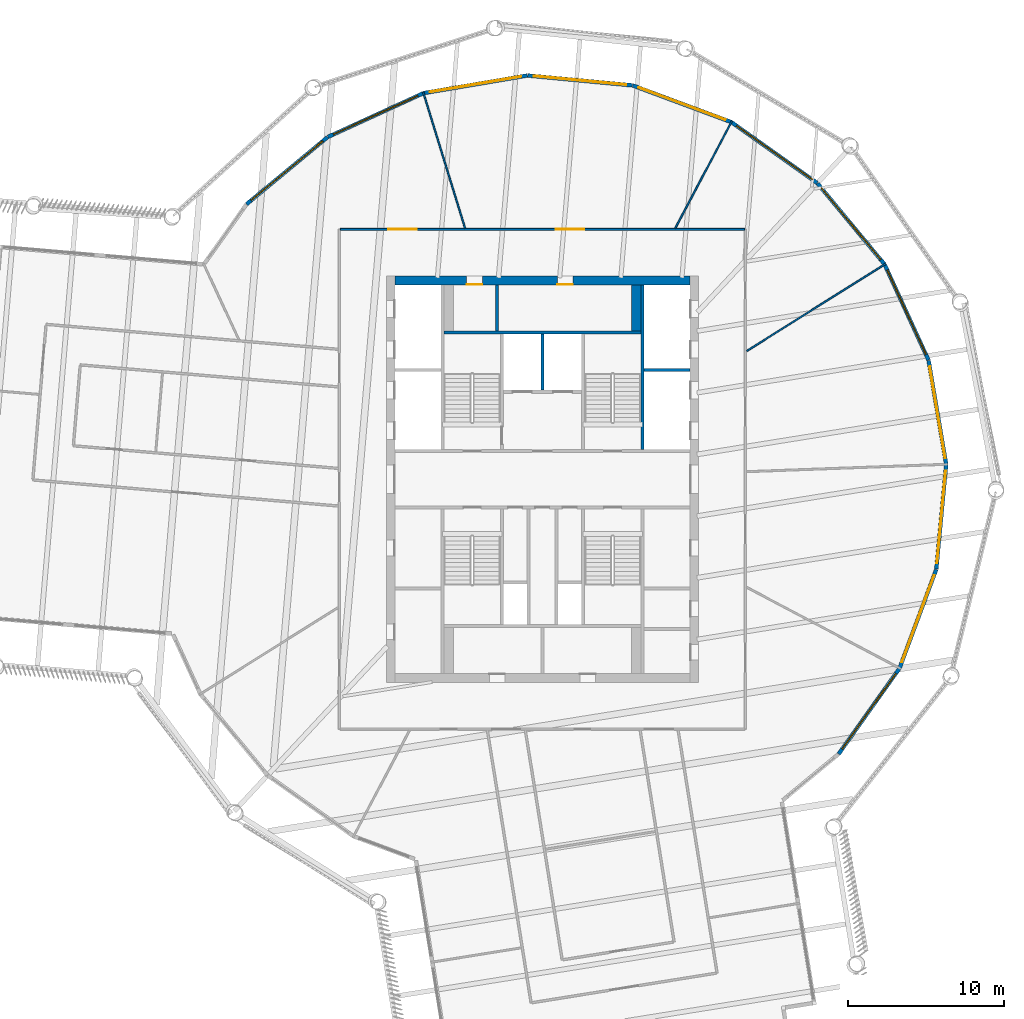
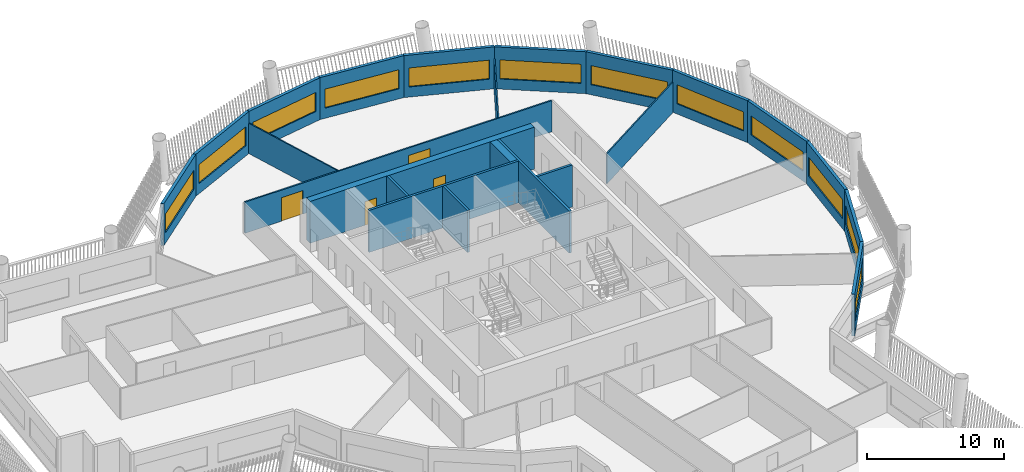
# One storey, part 6 of 14: 23 walls, 12 windows, 4 doors, 16 openings.
"""IFC4 building model written with IfcOpenShell, lengths in metres."""

from ifc_helpers import new_model, si_unit, direction, frame, frame_2d, origin, place, context, subcontext, project, spatial, rectangle, extrude, material, layer, layer_set, type_object, element, fill, save


model = new_model("IFC4")

# Units and contexts
model_context = context("Model", 3, precision=1e-05, world=origin(), true_north=direction((0.0, 1.0)))
body_context = subcontext(model_context, "Body", "Model", "MODEL_VIEW")
ifc_project = project(units=[si_unit("LENGTHUNIT", "METRE"), si_unit("AREAUNIT", "SQUARE_METRE"), si_unit("VOLUMEUNIT", "CUBIC_METRE"), si_unit("PLANEANGLEUNIT", "RADIAN"), si_unit("MASSUNIT", "GRAM", prefix="KILO")], contexts=[model_context])

# Site, building, storey
site_placement = place(None, origin())
site = spatial("IfcSite", under=ifc_project, at=site_placement, CompositionType="ELEMENT")
building_placement = place(site_placement, origin())
building = spatial("IfcBuilding", under=site, at=building_placement, Name="Tarsis Ring Headquarters", CompositionType="ELEMENT")
storey_placement = place(building_placement, frame((0.0, 0.0, 266.89990234375)))
storey = spatial("IfcBuildingStorey", under=building, at=storey_placement, Name="L62", CompositionType="ELEMENT", Elevation=266.89990234375)

# Wall
ifc_material_1 = material(Name="Blockwork", Category="masonry")
ifc_layer_1 = layer(ifc_material_1, 0.199951171875)
ifc_layer_set_1 = layer_set([ifc_layer_1], Name="Core blockwork wall 200")
wall_type_1 = type_object("IfcWallType", Name="Core blockwork wall 200", PredefinedType="PARTITIONING", material=ifc_layer_set_1)
wall_1_placement = place(storey_placement, frame((-2.89990234375, 9.5, 0.0), z_axis=(0.0, 0.0, 1.0), x_axis=(0.0, 1.0, 0.0)))
element("IfcWall", 1, at=wall_1_placement, inside=storey, type_object=wall_type_1, Name="Core partition ND1", PredefinedType="PARTITIONING", context=body_context, shape_type="SweptSolid", body=[
    extrude(rectangle(XDim=2.949951171875, YDim=0.199951171875, at=frame_2d((1.47509765625, 0.0))), origin(), (0.0, 0.0, 1.0), 3.739990234375),
])

# Wall, openings, doors
ifc_material_2 = material(Name="Concrete C50/60", Category="concrete")
ifc_layer_2 = layer(ifc_material_2, 0.550048828125)
ifc_layer_set_2 = layer_set([ifc_layer_2], Name="Core wall 550 C50/60")
wall_type_2 = type_object("IfcWallType", Name="Core wall 550 C50/60", PredefinedType="SHEAR", material=ifc_layer_set_2)
wall_2_placement = place(storey_placement, frame((-9.449951171875, 12.72509765625, 0.0), z_axis=(0.0, 0.0, 1.0), x_axis=(1.0, 0.0, 0.0)))
wall_2 = element("IfcWall", 2, at=wall_2_placement, inside=storey, type_object=wall_type_2, Name="Core wall ON", PredefinedType="SHEAR", context=body_context, shape_type="SweptSolid", body=[
    extrude(rectangle(XDim=18.89990234375, YDim=0.550048828125, at=frame_2d((9.449951171875, 0.0))), origin(), (0.0, 0.0, 1.0), 3.739990234375),
])
opening_1_placement = place(wall_2_placement, frame((4.60009765625, 0.0, 0.0)))
opening_1 = element("IfcOpeningElement", 3, at=opening_1_placement, cuts=wall_2, Name="Opening L62-C16", PredefinedType="OPENING", context=body_context, shape_type="SweptSolid", body=[
    extrude(rectangle(XDim=1.0, YDim=2.10009765625, at=frame_2d((0.5, 1.050048828125))), frame((0.0, 0.284912109375, 0.0), z_axis=(0.0, -1.0, 0.0), x_axis=(1.0, 0.0, 0.0)), (0.0, 0.0, 1.0), 0.570068359375),
])
opening_2_placement = place(wall_2_placement, frame((10.39990234375, 0.0, 0.0)))
opening_2 = element("IfcOpeningElement", 4, at=opening_2_placement, cuts=wall_2, Name="Opening L62-C17", PredefinedType="OPENING", context=body_context, shape_type="SweptSolid", body=[
    extrude(rectangle(XDim=1.0, YDim=2.10009765625, at=frame_2d((0.5, 1.050048828125))), frame((0.0, 0.284912109375, 0.0), z_axis=(0.0, -1.0, 0.0), x_axis=(1.0, 0.0, 0.0)), (0.0, 0.0, 1.0), 0.570068359375),
])
ifc_material_3 = material(Name="Steel S355", Category="steel")
door_type_1 = type_object("IfcDoorType", Name="Core room door 1000x2100", OperationType="SINGLE_SWING_LEFT", PredefinedType="DOOR", material=ifc_material_3)
door_1_placement = place(opening_1_placement, origin())
door_1 = element("IfcDoor", 5, at=door_1_placement, inside=storey, type_object=door_type_1, Name="Core room door L62", OperationType="SINGLE_SWING_LEFT", OverallHeight=2.10009765625, OverallWidth=1.0, PredefinedType="DOOR", context=body_context, shape_type="SweptSolid", body=[
    extrude(rectangle(XDim=1.0, YDim=2.10009765625, at=frame_2d((0.5, 1.050048828125))), frame((0.0, -0.22509765625, 0.0), z_axis=(0.0, -1.0, 0.0), x_axis=(1.0, 0.0, 0.0)), (0.0, 0.0, 1.0), 0.050048828125),
])
fill(opening_1, door_1)
door_2_placement = place(opening_2_placement, origin())
door_2 = element("IfcDoor", 6, at=door_2_placement, inside=storey, type_object=door_type_1, Name="Core room door L62", OperationType="SINGLE_SWING_LEFT", OverallHeight=2.10009765625, OverallWidth=1.0, PredefinedType="DOOR", context=body_context, shape_type="SweptSolid", body=[
    extrude(rectangle(XDim=1.0, YDim=2.10009765625, at=frame_2d((0.5, 1.050048828125))), frame((0.0, -0.22509765625, 0.0), z_axis=(0.0, -1.0, 0.0), x_axis=(1.0, 0.0, 0.0)), (0.0, 0.0, 1.0), 0.050048828125),
])
fill(opening_2, door_2)

# Walls
ifc_material_4 = material(Name="Gypsum board on steel studs", Category="steel")
ifc_layer_3 = layer(ifc_material_4, 0.10009765625)
ifc_layer_set_3 = layer_set([ifc_layer_3], Name="FL partition 100 unrated")
wall_type_3 = type_object("IfcWallType", Name="FL partition 100 unrated", PredefinedType="PARTITIONING", material=ifc_layer_set_3)
wall_3_placement = place(storey_placement, frame((13.076171875, 8.208984375, 0.0), z_axis=(0.0, 0.0, 1.0), x_axis=(0.846935486202, 0.531695666911, 0.0)))
element("IfcWall", 7, at=wall_3_placement, inside=storey, type_object=wall_type_3, Name="Partition PW3", PredefinedType="PARTITIONING", context=body_context, shape_type="SweptSolid", body=[
    extrude(rectangle(XDim=10.508544921875, YDim=0.10009765625, at=frame_2d((5.25439453125, 0.0))), origin(), (0.0, 0.0, 1.0), 2.7001953125),
])
wall_4_placement = place(storey_placement, frame((-7.638427734375, 24.798095703125, 0.0), z_axis=(0.0, 0.0, 1.0), x_axis=(0.2943787751, -0.955688828422, 0.0)))
element("IfcWall", 8, at=wall_4_placement, inside=storey, type_object=wall_type_3, Name="Partition PW3", PredefinedType="PARTITIONING", context=body_context, shape_type="SweptSolid", body=[
    extrude(rectangle(XDim=9.135986328125, YDim=0.10009765625, at=frame_2d((4.56787109375, 0.0))), origin(), (0.0, 0.0, 1.0), 2.7001953125),
])
wall_5_placement = place(storey_placement, frame((8.506591796875, 16.07958984375, 0.0), z_axis=(0.0, 0.0, 1.0), x_axis=(0.467617272652, 0.883931041608, 0.0)))
element("IfcWall", 9, at=wall_5_placement, inside=storey, type_object=wall_type_3, Name="Partition PW3", PredefinedType="PARTITIONING", context=body_context, shape_type="SweptSolid", body=[
    extrude(rectangle(XDim=7.7568359375, YDim=0.10009765625, at=frame_2d((3.87841796875, 0.0))), origin(), (0.0, 0.0, 1.0), 2.7001953125),
])

# Wall, openings, doors
ifc_layer_4 = layer(ifc_material_4, 0.125)
ifc_layer_set_4 = layer_set([ifc_layer_4], Name="FL partition 125 EI 60 H2770")
wall_type_4 = type_object("IfcWallType", Name="FL partition 125 EI 60 H2770", PredefinedType="PARTITIONING", material=ifc_layer_set_4)
wall_6_placement = place(storey_placement, frame((-12.93994140625, 16.0, 0.0), z_axis=(0.0, 0.0, 1.0), x_axis=(1.0, 0.0, 0.0)))
wall_6 = element("IfcWall", 10, at=wall_6_placement, inside=storey, type_object=wall_type_4, Name="Partition PW1", PredefinedType="PARTITIONING", context=body_context, shape_type="SweptSolid", body=[
    extrude(rectangle(XDim=25.8798828125, YDim=0.125, at=frame_2d((12.93994140625, 0.0))), origin(), (0.0, 0.0, 1.0), 2.77001953125),
])
opening_3_placement = place(wall_6_placement, frame((3.07568359375, 0.0, 0.0)))
opening_3 = element("IfcOpeningElement", 11, at=opening_3_placement, cuts=wall_6, Name="Opening D62.03", PredefinedType="OPENING", context=body_context, shape_type="SweptSolid", body=[
    extrude(rectangle(XDim=1.800048828125, YDim=2.10009765625, at=frame_2d((0.89990234375, 1.050048828125))), frame((0.0, 0.072509765625, 0.0), z_axis=(0.0, -1.0, 0.0), x_axis=(1.0, 0.0, 0.0)), (0.0, 0.0, 1.0), 0.14501953125),
])
opening_4_placement = place(wall_6_placement, frame((13.80810546875, 0.0, 0.0)))
opening_4 = element("IfcOpeningElement", 12, at=opening_4_placement, cuts=wall_6, Name="Opening D62.04", PredefinedType="OPENING", context=body_context, shape_type="SweptSolid", body=[
    extrude(rectangle(XDim=1.800048828125, YDim=2.10009765625, at=frame_2d((0.89990234375, 1.050048828125))), frame((0.0, 0.072509765625, 0.0), z_axis=(0.0, -1.0, 0.0), x_axis=(1.0, 0.0, 0.0)), (0.0, 0.0, 1.0), 0.14501953125),
])
ifc_material_5 = material(Name="Fire-rated timber door leaf in steel frame", Category="steel")
door_type_2 = type_object("IfcDoorType", Name="FL door FD60-1800", OperationType="DOUBLE_DOOR_SINGLE_SWING", PredefinedType="DOOR", material=ifc_material_5)
door_3_placement = place(opening_3_placement, origin())
door_3 = element("IfcDoor", 13, at=door_3_placement, inside=storey, type_object=door_type_2, Name="Door D62.03", OperationType="DOUBLE_DOOR_SINGLE_SWING", OverallHeight=2.10009765625, OverallWidth=1.800048828125, PredefinedType="DOOR", context=body_context, shape_type="SweptSolid", body=[
    extrude(rectangle(XDim=1.800048828125, YDim=2.10009765625, at=frame_2d((0.89990234375, 1.050048828125))), frame((0.0, 0.02490234375, 0.0), z_axis=(0.0, -1.0, 0.0), x_axis=(1.0, 0.0, 0.0)), (0.0, 0.0, 1.0), 0.050048828125),
])
fill(opening_3, door_3)
door_4_placement = place(opening_4_placement, origin())
door_4 = element("IfcDoor", 14, at=door_4_placement, inside=storey, type_object=door_type_2, Name="Door D62.04", OperationType="DOUBLE_DOOR_SINGLE_SWING", OverallHeight=2.10009765625, OverallWidth=1.800048828125, PredefinedType="DOOR", context=body_context, shape_type="SweptSolid", body=[
    extrude(rectangle(XDim=1.800048828125, YDim=2.10009765625, at=frame_2d((0.89990234375, 1.050048828125))), frame((0.0, 0.02490234375, 0.0), z_axis=(0.0, -1.0, 0.0), x_axis=(1.0, 0.0, 0.0)), (0.0, 0.0, 1.0), 0.050048828125),
])
fill(opening_4, door_4)

# Wall, opening, window
ifc_material_6 = material(Name="Terracotta clad insulated panel wall", Category="masonry")
ifc_layer_5 = layer(ifc_material_6, 0.25)
ifc_layer_set_5 = layer_set([ifc_layer_5], Name="Facade wall terracotta panel 250")
wall_type_5 = type_object("IfcWallType", Name="Facade wall terracotta panel 250", PredefinedType="STANDARD", material=ifc_layer_set_5)
wall_7_placement = place(storey_placement, frame((18.969482421875, -17.5927734375, 0.0), z_axis=(0.0, 0.0, 1.0), x_axis=(0.578985429699, 0.81533788836, 0.0)))
wall_7 = element("IfcWall", 15, at=wall_7_placement, inside=storey, type_object=wall_type_5, Name="External wall L62-18", PredefinedType="STANDARD", context=body_context, shape_type="SweptSolid", body=[
    extrude(rectangle(XDim=6.721435546875, YDim=0.25, at=frame_2d((3.36083984375, 0.0))), origin(), (0.0, 0.0, 1.0), 3.739990234375),
])
opening_5_placement = place(wall_7_placement, frame((0.3857421875, 0.0, 0.89990234375)))
opening_5 = element("IfcOpeningElement", 16, at=opening_5_placement, cuts=wall_7, Name="Opening WN07", PredefinedType="OPENING", context=body_context, shape_type="SweptSolid", body=[
    extrude(rectangle(XDim=5.949951171875, YDim=1.699951171875, at=frame_2d((2.97509765625, 0.85009765625))), frame((0.0, 0.135009765625, 0.0), z_axis=(0.0, -1.0, 0.0), x_axis=(1.0, 0.0, 0.0)), (0.0, 0.0, 1.0), 0.27001953125),
])
ifc_material_7 = material(Name="Aluminium framed double glazing", Category="aluminium")
window_type = type_object("IfcWindowType", Name="Facade window 5950 x 1700", PartitioningType="SINGLE_PANEL", PredefinedType="WINDOW", material=ifc_material_7)
window_1_placement = place(opening_5_placement, origin())
window_1 = element("IfcWindow", 17, at=window_1_placement, inside=storey, type_object=window_type, Name="Window L62-18.1", OverallHeight=1.699951171875, OverallWidth=5.949951171875, PartitioningType="SINGLE_PANEL", PredefinedType="WINDOW", context=body_context, shape_type="SweptSolid", body=[
    extrude(rectangle(XDim=5.949951171875, YDim=1.699951171875, at=frame_2d((2.97509765625, 0.85009765625))), frame((0.0, 0.030029296875, 0.0), z_axis=(0.0, -1.0, 0.0), x_axis=(1.0, 0.0, 0.0)), (0.0, 0.0, 1.0), 0.06005859375),
])
fill(opening_5, window_1)

wall_8_placement = place(storey_placement, frame((22.87646484375, -12.083740234375, 0.0), z_axis=(0.0, 0.0, 1.0), x_axis=(0.34825583759, 0.937399526128, 0.0)))
wall_8 = element("IfcWall", 18, at=wall_8_placement, inside=storey, type_object=wall_type_5, Name="External wall L62-19", PredefinedType="STANDARD", context=body_context, shape_type="SweptSolid", body=[
    extrude(rectangle(XDim=6.721435546875, YDim=0.25, at=frame_2d((3.36083984375, 0.0))), origin(), (0.0, 0.0, 1.0), 3.739990234375),
])
opening_6_placement = place(wall_8_placement, frame((0.3857421875, 0.0, 0.89990234375)))
opening_6 = element("IfcOpeningElement", 19, at=opening_6_placement, cuts=wall_8, Name="Opening WN07", PredefinedType="OPENING", context=body_context, shape_type="SweptSolid", body=[
    extrude(rectangle(XDim=5.949951171875, YDim=1.699951171875, at=frame_2d((2.97509765625, 0.85009765625))), frame((0.0, 0.135009765625, 0.0), z_axis=(0.0, -1.0, 0.0), x_axis=(1.0, 0.0, 0.0)), (0.0, 0.0, 1.0), 0.27001953125),
])
window_2_placement = place(opening_6_placement, origin())
window_2 = element("IfcWindow", 20, at=window_2_placement, inside=storey, type_object=window_type, Name="Window L62-19.1", OverallHeight=1.699951171875, OverallWidth=5.949951171875, PartitioningType="SINGLE_PANEL", PredefinedType="WINDOW", context=body_context, shape_type="SweptSolid", body=[
    extrude(rectangle(XDim=5.949951171875, YDim=1.699951171875, at=frame_2d((2.97509765625, 0.85009765625))), frame((0.0, 0.030029296875, 0.0), z_axis=(0.0, -1.0, 0.0), x_axis=(1.0, 0.0, 0.0)), (0.0, 0.0, 1.0), 0.06005859375),
])
fill(opening_6, window_2)

wall_9_placement = place(storey_placement, frame((25.224365234375, -5.751220703125, 0.0), z_axis=(0.0, 0.0, 1.0), x_axis=(0.093784020628, 0.995592566, 0.0)))
wall_9 = element("IfcWall", 21, at=wall_9_placement, inside=storey, type_object=wall_type_5, Name="External wall L62-20", PredefinedType="STANDARD", context=body_context, shape_type="SweptSolid", body=[
    extrude(rectangle(XDim=6.721435546875, YDim=0.25, at=frame_2d((3.36083984375, 0.0))), origin(), (0.0, 0.0, 1.0), 3.739990234375),
])
opening_7_placement = place(wall_9_placement, frame((0.3857421875, 0.0, 0.89990234375)))
opening_7 = element("IfcOpeningElement", 22, at=opening_7_placement, cuts=wall_9, Name="Opening WN07", PredefinedType="OPENING", context=body_context, shape_type="SweptSolid", body=[
    extrude(rectangle(XDim=5.949951171875, YDim=1.699951171875, at=frame_2d((2.97509765625, 0.85009765625))), frame((0.0, 0.135009765625, 0.0), z_axis=(0.0, -1.0, 0.0), x_axis=(1.0, 0.0, 0.0)), (0.0, 0.0, 1.0), 0.27001953125),
])
window_3_placement = place(opening_7_placement, origin())
window_3 = element("IfcWindow", 23, at=window_3_placement, inside=storey, type_object=window_type, Name="Window L62-20.1", OverallHeight=1.699951171875, OverallWidth=5.949951171875, PartitioningType="SINGLE_PANEL", PredefinedType="WINDOW", context=body_context, shape_type="SweptSolid", body=[
    extrude(rectangle(XDim=5.949951171875, YDim=1.699951171875, at=frame_2d((2.97509765625, 0.85009765625))), frame((0.0, 0.030029296875, 0.0), z_axis=(0.0, -1.0, 0.0), x_axis=(1.0, 0.0, 0.0)), (0.0, 0.0, 1.0), 0.06005859375),
])
fill(opening_7, window_3)

wall_10_placement = place(storey_placement, frame((25.853515625, 0.973388671875, 0.0), z_axis=(0.0, 0.0, 1.0), x_axis=(-0.167119600515, 0.985936630379, 0.0)))
wall_10 = element("IfcWall", 24, at=wall_10_placement, inside=storey, type_object=wall_type_5, Name="External wall L62-21", PredefinedType="STANDARD", context=body_context, shape_type="SweptSolid", body=[
    extrude(rectangle(XDim=6.721435546875, YDim=0.25, at=frame_2d((3.36083984375, 0.0))), origin(), (0.0, 0.0, 1.0), 3.739990234375),
])
opening_8_placement = place(wall_10_placement, frame((0.3857421875, 0.0, 0.89990234375)))
opening_8 = element("IfcOpeningElement", 25, at=opening_8_placement, cuts=wall_10, Name="Opening WN07", PredefinedType="OPENING", context=body_context, shape_type="SweptSolid", body=[
    extrude(rectangle(XDim=5.949951171875, YDim=1.699951171875, at=frame_2d((2.97509765625, 0.85009765625))), frame((0.0, 0.135009765625, 0.0), z_axis=(0.0, -1.0, 0.0), x_axis=(1.0, 0.0, 0.0)), (0.0, 0.0, 1.0), 0.27001953125),
])
window_4_placement = place(opening_8_placement, origin())
window_4 = element("IfcWindow", 26, at=window_4_placement, inside=storey, type_object=window_type, Name="Window L62-21.1", OverallHeight=1.699951171875, OverallWidth=5.949951171875, PartitioningType="SINGLE_PANEL", PredefinedType="WINDOW", context=body_context, shape_type="SweptSolid", body=[
    extrude(rectangle(XDim=5.949951171875, YDim=1.699951171875, at=frame_2d((2.97509765625, 0.85009765625))), frame((0.0, 0.030029296875, 0.0), z_axis=(0.0, -1.0, 0.0), x_axis=(1.0, 0.0, 0.0)), (0.0, 0.0, 1.0), 0.06005859375),
])
fill(opening_8, window_4)

wall_11_placement = place(storey_placement, frame((24.720703125, 7.631591796875, 0.0), z_axis=(0.0, 0.0, 1.0), x_axis=(-0.416619690448, 0.909080872932, 0.0)))
wall_11 = element("IfcWall", 27, at=wall_11_placement, inside=storey, type_object=wall_type_5, Name="External wall L62-22", PredefinedType="STANDARD", context=body_context, shape_type="SweptSolid", body=[
    extrude(rectangle(XDim=6.721435546875, YDim=0.25, at=frame_2d((3.36083984375, 0.0))), origin(), (0.0, 0.0, 1.0), 3.739990234375),
])
opening_9_placement = place(wall_11_placement, frame((0.3857421875, 0.0, 0.89990234375)))
opening_9 = element("IfcOpeningElement", 28, at=opening_9_placement, cuts=wall_11, Name="Opening WN07", PredefinedType="OPENING", context=body_context, shape_type="SweptSolid", body=[
    extrude(rectangle(XDim=5.949951171875, YDim=1.699951171875, at=frame_2d((2.97509765625, 0.85009765625))), frame((0.0, 0.135009765625, 0.0), z_axis=(0.0, -1.0, 0.0), x_axis=(1.0, 0.0, 0.0)), (0.0, 0.0, 1.0), 0.27001953125),
])
window_5_placement = place(opening_9_placement, origin())
window_5 = element("IfcWindow", 29, at=window_5_placement, inside=storey, type_object=window_type, Name="Window L62-22.1", OverallHeight=1.699951171875, OverallWidth=5.949951171875, PartitioningType="SINGLE_PANEL", PredefinedType="WINDOW", context=body_context, shape_type="SweptSolid", body=[
    extrude(rectangle(XDim=5.949951171875, YDim=1.699951171875, at=frame_2d((2.97509765625, 0.85009765625))), frame((0.0, 0.030029296875, 0.0), z_axis=(0.0, -1.0, 0.0), x_axis=(1.0, 0.0, 0.0)), (0.0, 0.0, 1.0), 0.06005859375),
])
fill(opening_9, window_5)

wall_12_placement = place(storey_placement, frame((21.903076171875, 13.769775390625, 0.0), z_axis=(0.0, 0.0, 1.0), x_axis=(-0.637705225041, 0.770280498231, 0.0)))
wall_12 = element("IfcWall", 30, at=wall_12_placement, inside=storey, type_object=wall_type_5, Name="External wall L62-23", PredefinedType="STANDARD", context=body_context, shape_type="SweptSolid", body=[
    extrude(rectangle(XDim=6.7216796875, YDim=0.25, at=frame_2d((3.36083984375, 0.0))), origin(), (0.0, 0.0, 1.0), 3.739990234375),
])
opening_10_placement = place(wall_12_placement, frame((0.3857421875, 0.0, 0.89990234375)))
opening_10 = element("IfcOpeningElement", 31, at=opening_10_placement, cuts=wall_12, Name="Opening WN07", PredefinedType="OPENING", context=body_context, shape_type="SweptSolid", body=[
    extrude(rectangle(XDim=5.949951171875, YDim=1.699951171875, at=frame_2d((2.97509765625, 0.85009765625))), frame((0.0, 0.135009765625, 0.0), z_axis=(0.0, -1.0, 0.0), x_axis=(1.0, 0.0, 0.0)), (0.0, 0.0, 1.0), 0.27001953125),
])
window_6_placement = place(opening_10_placement, origin())
window_6 = element("IfcWindow", 32, at=window_6_placement, inside=storey, type_object=window_type, Name="Window L62-23.1", OverallHeight=1.699951171875, OverallWidth=5.949951171875, PartitioningType="SINGLE_PANEL", PredefinedType="WINDOW", context=body_context, shape_type="SweptSolid", body=[
    extrude(rectangle(XDim=5.949951171875, YDim=1.699951171875, at=frame_2d((2.97509765625, 0.85009765625))), frame((0.0, 0.030029296875, 0.0), z_axis=(0.0, -1.0, 0.0), x_axis=(1.0, 0.0, 0.0)), (0.0, 0.0, 1.0), 0.06005859375),
])
fill(opening_10, window_6)

wall_13_placement = place(storey_placement, frame((17.5927734375, 18.969482421875, 0.0), z_axis=(0.0, 0.0, 1.0), x_axis=(-0.81533788836, 0.578985429699, 0.0)))
wall_13 = element("IfcWall", 33, at=wall_13_placement, inside=storey, type_object=wall_type_5, Name="External wall L62-24", PredefinedType="STANDARD", context=body_context, shape_type="SweptSolid", body=[
    extrude(rectangle(XDim=6.721435546875, YDim=0.25, at=frame_2d((3.36083984375, 0.0))), origin(), (0.0, 0.0, 1.0), 3.739990234375),
])
opening_11_placement = place(wall_13_placement, frame((0.3857421875, 0.0, 0.89990234375)))
opening_11 = element("IfcOpeningElement", 34, at=opening_11_placement, cuts=wall_13, Name="Opening WN07", PredefinedType="OPENING", context=body_context, shape_type="SweptSolid", body=[
    extrude(rectangle(XDim=5.949951171875, YDim=1.699951171875, at=frame_2d((2.97509765625, 0.85009765625))), frame((0.0, 0.135009765625, 0.0), z_axis=(0.0, -1.0, 0.0), x_axis=(1.0, 0.0, 0.0)), (0.0, 0.0, 1.0), 0.27001953125),
])
window_7_placement = place(opening_11_placement, origin())
window_7 = element("IfcWindow", 35, at=window_7_placement, inside=storey, type_object=window_type, Name="Window L62-24.1", OverallHeight=1.699951171875, OverallWidth=5.949951171875, PartitioningType="SINGLE_PANEL", PredefinedType="WINDOW", context=body_context, shape_type="SweptSolid", body=[
    extrude(rectangle(XDim=5.949951171875, YDim=1.699951171875, at=frame_2d((2.97509765625, 0.85009765625))), frame((0.0, 0.030029296875, 0.0), z_axis=(0.0, -1.0, 0.0), x_axis=(1.0, 0.0, 0.0)), (0.0, 0.0, 1.0), 0.06005859375),
])
fill(opening_11, window_7)

wall_14_placement = place(storey_placement, frame((12.083740234375, 22.87646484375, 0.0), z_axis=(0.0, 0.0, 1.0), x_axis=(-0.937399526128, 0.34825583759, 0.0)))
wall_14 = element("IfcWall", 36, at=wall_14_placement, inside=storey, type_object=wall_type_5, Name="External wall L62-25", PredefinedType="STANDARD", context=body_context, shape_type="SweptSolid", body=[
    extrude(rectangle(XDim=6.721435546875, YDim=0.25, at=frame_2d((3.36083984375, 0.0))), origin(), (0.0, 0.0, 1.0), 3.739990234375),
])
opening_12_placement = place(wall_14_placement, frame((0.3857421875, 0.0, 0.89990234375)))
opening_12 = element("IfcOpeningElement", 37, at=opening_12_placement, cuts=wall_14, Name="Opening WN07", PredefinedType="OPENING", context=body_context, shape_type="SweptSolid", body=[
    extrude(rectangle(XDim=5.949951171875, YDim=1.699951171875, at=frame_2d((2.97509765625, 0.85009765625))), frame((0.0, 0.135009765625, 0.0), z_axis=(0.0, -1.0, 0.0), x_axis=(1.0, 0.0, 0.0)), (0.0, 0.0, 1.0), 0.27001953125),
])
window_8_placement = place(opening_12_placement, origin())
window_8 = element("IfcWindow", 38, at=window_8_placement, inside=storey, type_object=window_type, Name="Window L62-25.1", OverallHeight=1.699951171875, OverallWidth=5.949951171875, PartitioningType="SINGLE_PANEL", PredefinedType="WINDOW", context=body_context, shape_type="SweptSolid", body=[
    extrude(rectangle(XDim=5.949951171875, YDim=1.699951171875, at=frame_2d((2.97509765625, 0.85009765625))), frame((0.0, 0.030029296875, 0.0), z_axis=(0.0, -1.0, 0.0), x_axis=(1.0, 0.0, 0.0)), (0.0, 0.0, 1.0), 0.06005859375),
])
fill(opening_12, window_8)

wall_15_placement = place(storey_placement, frame((5.751220703125, 25.224365234375, 0.0), z_axis=(0.0, 0.0, 1.0), x_axis=(-0.995592566, 0.093784020628, 0.0)))
wall_15 = element("IfcWall", 39, at=wall_15_placement, inside=storey, type_object=wall_type_5, Name="External wall L62-26", PredefinedType="STANDARD", context=body_context, shape_type="SweptSolid", body=[
    extrude(rectangle(XDim=6.721435546875, YDim=0.25, at=frame_2d((3.36083984375, 0.0))), origin(), (0.0, 0.0, 1.0), 3.739990234375),
])
opening_13_placement = place(wall_15_placement, frame((0.3857421875, 0.0, 0.89990234375)))
opening_13 = element("IfcOpeningElement", 40, at=opening_13_placement, cuts=wall_15, Name="Opening WN07", PredefinedType="OPENING", context=body_context, shape_type="SweptSolid", body=[
    extrude(rectangle(XDim=5.949951171875, YDim=1.699951171875, at=frame_2d((2.97509765625, 0.85009765625))), frame((0.0, 0.135009765625, 0.0), z_axis=(0.0, -1.0, 0.0), x_axis=(1.0, 0.0, 0.0)), (0.0, 0.0, 1.0), 0.27001953125),
])
window_9_placement = place(opening_13_placement, origin())
window_9 = element("IfcWindow", 41, at=window_9_placement, inside=storey, type_object=window_type, Name="Window L62-26.1", OverallHeight=1.699951171875, OverallWidth=5.949951171875, PartitioningType="SINGLE_PANEL", PredefinedType="WINDOW", context=body_context, shape_type="SweptSolid", body=[
    extrude(rectangle(XDim=5.949951171875, YDim=1.699951171875, at=frame_2d((2.97509765625, 0.85009765625))), frame((0.0, 0.030029296875, 0.0), z_axis=(0.0, -1.0, 0.0), x_axis=(1.0, 0.0, 0.0)), (0.0, 0.0, 1.0), 0.06005859375),
])
fill(opening_13, window_9)

wall_16_placement = place(storey_placement, frame((-0.973388671875, 25.853515625, 0.0), z_axis=(0.0, 0.0, 1.0), x_axis=(-0.985936630379, -0.167119600515, 0.0)))
wall_16 = element("IfcWall", 42, at=wall_16_placement, inside=storey, type_object=wall_type_5, Name="External wall L62-27", PredefinedType="STANDARD", context=body_context, shape_type="SweptSolid", body=[
    extrude(rectangle(XDim=6.721435546875, YDim=0.25, at=frame_2d((3.36083984375, 0.0))), origin(), (0.0, 0.0, 1.0), 3.739990234375),
])
opening_14_placement = place(wall_16_placement, frame((0.3857421875, 0.0, 0.89990234375)))
opening_14 = element("IfcOpeningElement", 43, at=opening_14_placement, cuts=wall_16, Name="Opening WN07", PredefinedType="OPENING", context=body_context, shape_type="SweptSolid", body=[
    extrude(rectangle(XDim=5.949951171875, YDim=1.699951171875, at=frame_2d((2.97509765625, 0.85009765625))), frame((0.0, 0.135009765625, 0.0), z_axis=(0.0, -1.0, 0.0), x_axis=(1.0, 0.0, 0.0)), (0.0, 0.0, 1.0), 0.27001953125),
])
window_10_placement = place(opening_14_placement, origin())
window_10 = element("IfcWindow", 44, at=window_10_placement, inside=storey, type_object=window_type, Name="Window L62-27.1", OverallHeight=1.699951171875, OverallWidth=5.949951171875, PartitioningType="SINGLE_PANEL", PredefinedType="WINDOW", context=body_context, shape_type="SweptSolid", body=[
    extrude(rectangle(XDim=5.949951171875, YDim=1.699951171875, at=frame_2d((2.97509765625, 0.85009765625))), frame((0.0, 0.030029296875, 0.0), z_axis=(0.0, -1.0, 0.0), x_axis=(1.0, 0.0, 0.0)), (0.0, 0.0, 1.0), 0.06005859375),
])
fill(opening_14, window_10)

wall_17_placement = place(storey_placement, frame((-7.631591796875, 24.720703125, 0.0), z_axis=(0.0, 0.0, 1.0), x_axis=(-0.909080872932, -0.416619690448, 0.0)))
wall_17 = element("IfcWall", 45, at=wall_17_placement, inside=storey, type_object=wall_type_5, Name="External wall L62-28", PredefinedType="STANDARD", context=body_context, shape_type="SweptSolid", body=[
    extrude(rectangle(XDim=6.721435546875, YDim=0.25, at=frame_2d((3.36083984375, 0.0))), origin(), (0.0, 0.0, 1.0), 3.739990234375),
])
opening_15_placement = place(wall_17_placement, frame((0.3857421875, 0.0, 0.89990234375)))
opening_15 = element("IfcOpeningElement", 46, at=opening_15_placement, cuts=wall_17, Name="Opening WN07", PredefinedType="OPENING", context=body_context, shape_type="SweptSolid", body=[
    extrude(rectangle(XDim=5.949951171875, YDim=1.699951171875, at=frame_2d((2.97509765625, 0.85009765625))), frame((0.0, 0.135009765625, 0.0), z_axis=(0.0, -1.0, 0.0), x_axis=(1.0, 0.0, 0.0)), (0.0, 0.0, 1.0), 0.27001953125),
])
window_11_placement = place(opening_15_placement, origin())
window_11 = element("IfcWindow", 47, at=window_11_placement, inside=storey, type_object=window_type, Name="Window L62-28.1", OverallHeight=1.699951171875, OverallWidth=5.949951171875, PartitioningType="SINGLE_PANEL", PredefinedType="WINDOW", context=body_context, shape_type="SweptSolid", body=[
    extrude(rectangle(XDim=5.949951171875, YDim=1.699951171875, at=frame_2d((2.97509765625, 0.85009765625))), frame((0.0, 0.030029296875, 0.0), z_axis=(0.0, -1.0, 0.0), x_axis=(1.0, 0.0, 0.0)), (0.0, 0.0, 1.0), 0.06005859375),
])
fill(opening_15, window_11)

wall_18_placement = place(storey_placement, frame((-13.769775390625, 21.903076171875, 0.0), z_axis=(0.0, 0.0, 1.0), x_axis=(-0.770280498231, -0.637705225041, 0.0)))
wall_18 = element("IfcWall", 48, at=wall_18_placement, inside=storey, type_object=wall_type_5, Name="External wall L62-29", PredefinedType="STANDARD", context=body_context, shape_type="SweptSolid", body=[
    extrude(rectangle(XDim=6.7216796875, YDim=0.25, at=frame_2d((3.36083984375, 0.0))), origin(), (0.0, 0.0, 1.0), 3.739990234375),
])
opening_16_placement = place(wall_18_placement, frame((0.3857421875, 0.0, 0.89990234375)))
opening_16 = element("IfcOpeningElement", 49, at=opening_16_placement, cuts=wall_18, Name="Opening WN07", PredefinedType="OPENING", context=body_context, shape_type="SweptSolid", body=[
    extrude(rectangle(XDim=5.949951171875, YDim=1.699951171875, at=frame_2d((2.97509765625, 0.85009765625))), frame((0.0, 0.135009765625, 0.0), z_axis=(0.0, -1.0, 0.0), x_axis=(1.0, 0.0, 0.0)), (0.0, 0.0, 1.0), 0.27001953125),
])
window_12_placement = place(opening_16_placement, origin())
window_12 = element("IfcWindow", 50, at=window_12_placement, inside=storey, type_object=window_type, Name="Window L62-29.1", OverallHeight=1.699951171875, OverallWidth=5.949951171875, PartitioningType="SINGLE_PANEL", PredefinedType="WINDOW", context=body_context, shape_type="SweptSolid", body=[
    extrude(rectangle(XDim=5.949951171875, YDim=1.699951171875, at=frame_2d((2.97509765625, 0.85009765625))), frame((0.0, 0.030029296875, 0.0), z_axis=(0.0, -1.0, 0.0), x_axis=(1.0, 0.0, 0.0)), (0.0, 0.0, 1.0), 0.06005859375),
])
fill(opening_16, window_12)

# Walls
ifc_material_8 = material(Name="Concrete C32/40", Category="concrete")
ifc_layer_6 = layer(ifc_material_8, 0.60009765625)
ifc_layer_set_6 = layer_set([ifc_layer_6], Name="Shaft end wall 600 C32/40")
wall_type_6 = type_object("IfcWallType", Name="Shaft end wall 600 C32/40", PredefinedType="SOLIDWALL", material=ifc_layer_set_6)
wall_19_placement = place(storey_placement, frame((6.0, 9.5, 0.0), z_axis=(0.0, 0.0, 1.0), x_axis=(0.0, 1.0, 0.0)))
element("IfcWall", 51, at=wall_19_placement, inside=storey, type_object=wall_type_6, Name="Core shaft wall NNE2", PredefinedType="SOLIDWALL", context=body_context, shape_type="SweptSolid", body=[
    extrude(rectangle(XDim=2.949951171875, YDim=0.60009765625, at=frame_2d((1.47509765625, 0.0))), origin(), (0.0, 0.0, 1.0), 3.739990234375),
])
ifc_layer_7 = layer(ifc_material_8, 0.199951171875)
ifc_layer_set_7 = layer_set([ifc_layer_7], Name="Shaft wall 200 C32/40")
wall_type_7 = type_object("IfcWallType", Name="Shaft wall 200 C32/40", PredefinedType="SOLIDWALL", material=ifc_layer_set_7)
wall_20_placement = place(storey_placement, frame((6.39990234375, 1.89990234375, 0.0), z_axis=(0.0, 0.0, 1.0), x_axis=(0.0, 1.0, 0.0)))
element("IfcWall", 52, at=wall_20_placement, inside=storey, type_object=wall_type_7, Name="Core shaft wall EB2", PredefinedType="SOLIDWALL", context=body_context, shape_type="SweptSolid", body=[
    extrude(rectangle(XDim=10.550048828125, YDim=0.199951171875, at=frame_2d((5.27490234375, 0.0))), origin(), (0.0, 0.0, 1.0), 3.739990234375),
])
wall_21_placement = place(storey_placement, frame((-6.300048828125, 9.39990234375, 0.0), z_axis=(0.0, 0.0, 1.0), x_axis=(1.0, 0.0, 0.0)))
element("IfcWall", 53, at=wall_21_placement, inside=storey, type_object=wall_type_7, Name="Core shaft wall NB", PredefinedType="SOLIDWALL", context=body_context, shape_type="SweptSolid", body=[
    extrude(rectangle(XDim=12.60009765625, YDim=0.199951171875, at=frame_2d((6.300048828125, 0.0))), origin(), (0.0, 0.0, 1.0), 3.739990234375),
])
wall_22_placement = place(storey_placement, frame((0.0, 5.699951171875, 0.0), z_axis=(0.0, 0.0, 1.0), x_axis=(0.0, 1.0, 0.0)))
element("IfcWall", 54, at=wall_22_placement, inside=storey, type_object=wall_type_7, Name="Core shaft wall FFD", PredefinedType="SOLIDWALL", context=body_context, shape_type="SweptSolid", body=[
    extrude(rectangle(XDim=3.60009765625, YDim=0.199951171875, at=frame_2d((1.800048828125, 0.0))), origin(), (0.0, 0.0, 1.0), 3.739990234375),
])
wall_23_placement = place(storey_placement, frame((6.5, 7.0, 0.0), z_axis=(0.0, 0.0, 1.0), x_axis=(1.0, 0.0, 0.0)))
element("IfcWall", 55, at=wall_23_placement, inside=storey, type_object=wall_type_7, Name="Core shaft wall ED6", PredefinedType="SOLIDWALL", context=body_context, shape_type="SweptSolid", body=[
    extrude(rectangle(XDim=2.949951171875, YDim=0.199951171875, at=frame_2d((1.47509765625, 0.0))), origin(), (0.0, 0.0, 1.0), 3.739990234375),
])

save(model, "model.ifc")
